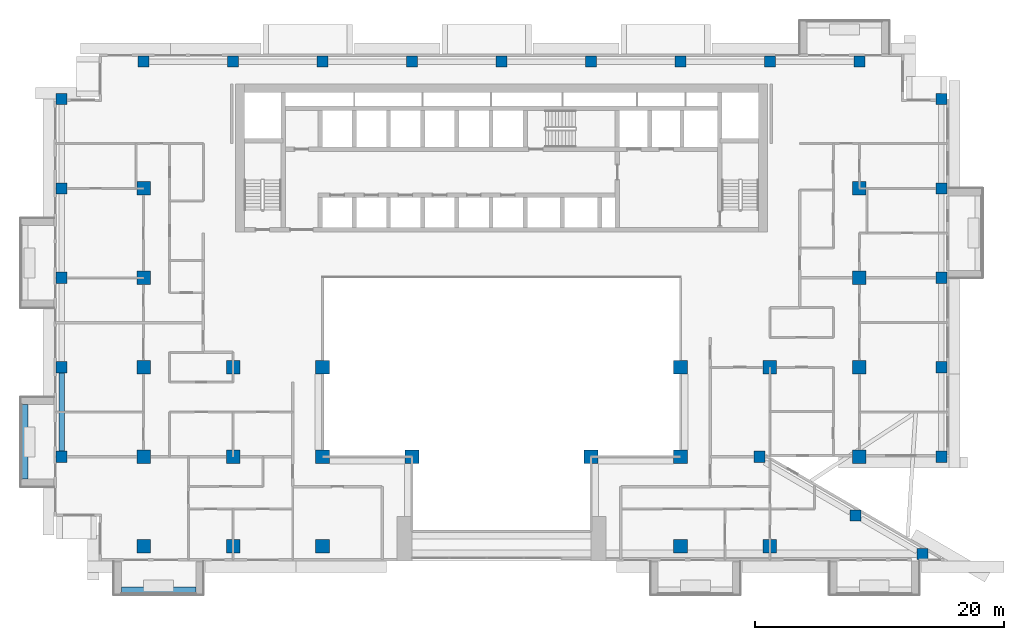
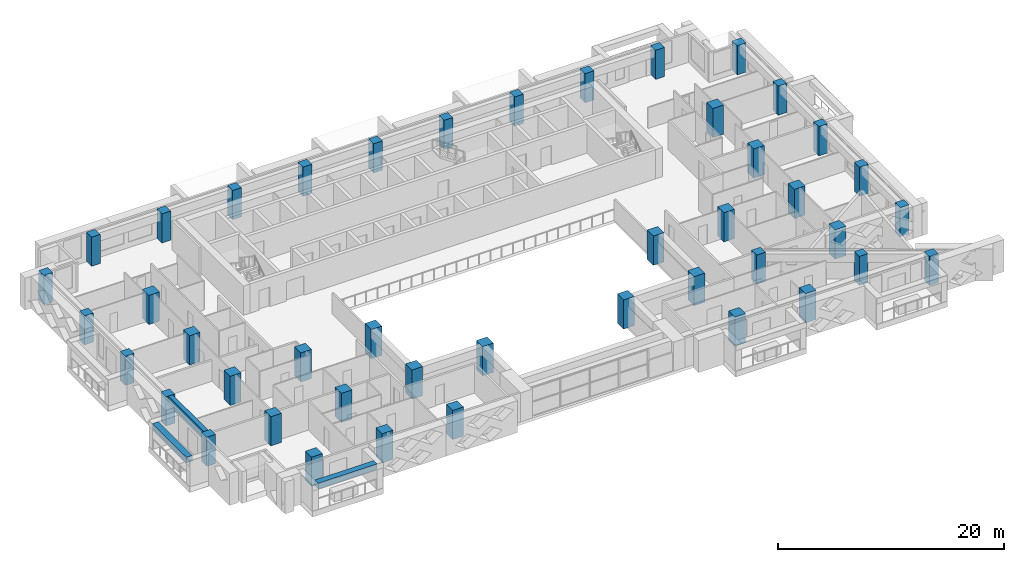
# One storey, part 1 of 19: 44 columns, 3 beams.
"""IFC4 building model written with IfcOpenShell, lengths in metres."""

import ifcopenshell
import ifcopenshell.guid

model = None  # the IFC model being written
_history = None  # IfcOwnerHistory: only IFC2X3 demands one
_inside = {}  # id of a spatial element -> (the spatial element, [elements in it])
_under = {}  # id of a project, library or spatial element -> (it, [spatial elements below it])
_declared = {}  # id of a project -> (the project, [libraries it declares])
_typed = {}  # id of a type object -> (the type object, [elements of that type])
_made_of = {}  # id of a material, layer set ... -> (it, [elements and type objects made of it])


def new_model(schema):
    """Start an empty IFC model of exactly this schema.

    Asked for "IFC4X3", IfcOpenShell would pick the latest addendum, in which some entities
    have other attributes; the version numbers below select the first issue.
    IFC2X3 requires an IfcOwnerHistory on every rooted entity: one is made here for all.
    """
    global model, _history
    if schema == "IFC4X3":
        model = ifcopenshell.file(schema_version=(4, 3, 0, 0))
    else:
        model = ifcopenshell.file(schema=schema)
    _inside.clear()
    _under.clear()
    _declared.clear()
    _typed.clear()
    _made_of.clear()
    _history = None
    if model.schema == "IFC2X3":
        org = make("IfcOrganization", Name="unknown")
        user = make(
            "IfcPersonAndOrganization",
            ThePerson=make("IfcPerson", FamilyName="unknown"),
            TheOrganization=org,
        )
        app = make(
            "IfcApplication",
            ApplicationDeveloper=org,
            Version="unknown",
            ApplicationFullName="unknown",
            ApplicationIdentifier="unknown",
        )
        _history = make(
            "IfcOwnerHistory",
            OwningUser=user,
            OwningApplication=app,
            ChangeAction="ADDED",
            CreationDate=0,
        )
    return model


def make(cls, **values):
    """One entity of the class cls with the attributes given. An attribute that is None is left unset."""
    return model.create_entity(
        cls, **{name: value for name, value in values.items() if value is not None}
    )


def rooted(cls, **values):
    """An entity with a GlobalId (a new one), such as an element, a storey or a relation."""
    return make(cls, GlobalId=ifcopenshell.guid.new(), OwnerHistory=_history, **values)


def si_unit(unit_type, name, prefix=None):
    """IfcSIUnit, for example si_unit("LENGTHUNIT", "METRE", prefix="MILLI")."""
    return make("IfcSIUnit", UnitType=unit_type, Prefix=prefix, Name=name)


def assignment(units):
    """IfcUnitAssignment: the units of a project."""
    return None if units is None else make("IfcUnitAssignment", Units=units)


def point(xyz):
    """IfcCartesianPoint."""
    return None if xyz is None else make("IfcCartesianPoint", Coordinates=xyz)


def direction(xyz):
    """IfcDirection."""
    return None if xyz is None else make("IfcDirection", DirectionRatios=xyz)


def frame(location, z_axis=None, x_axis=None):
    """IfcAxis2Placement3D, a coordinate frame: its origin and axes. An axis left out is left unset."""
    return make(
        "IfcAxis2Placement3D",
        Location=point(location),
        Axis=direction(z_axis),
        RefDirection=direction(x_axis),
    )


def frame_2d(location, x_axis=None):
    """IfcAxis2Placement2D, a coordinate frame in the plane: its origin and x axis."""
    return make(
        "IfcAxis2Placement2D", Location=point(location), RefDirection=direction(x_axis)
    )


def origin():
    """The frame at (0, 0, 0) with its axes left unset."""
    return frame((0.0, 0.0, 0.0))


def origin_2d():
    """The frame at (0, 0) in the plane with its x axis left unset."""
    return frame_2d((0.0, 0.0))


def place(relative_to, where):
    """IfcLocalPlacement: puts the frame where relative to a parent placement (None: the world)."""
    return make(
        "IfcLocalPlacement", PlacementRelTo=relative_to, RelativePlacement=where
    )


def context(
    kind, dimensions, precision=None, world=None, true_north=None, identifier=None
):
    """IfcGeometricRepresentationContext, for example the 3D "Model" context."""
    return make(
        "IfcGeometricRepresentationContext",
        ContextIdentifier=identifier,
        ContextType=kind,
        CoordinateSpaceDimension=dimensions,
        Precision=precision,
        WorldCoordinateSystem=world,
        TrueNorth=true_north,
    )


def subcontext(parent, identifier, kind, view, scale=None):
    """IfcGeometricRepresentationSubContext, for example "Body" below "Model"."""
    return make(
        "IfcGeometricRepresentationSubContext",
        ContextIdentifier=identifier,
        ContextType=kind,
        ParentContext=parent,
        TargetScale=scale,
        TargetView=view,
    )


def project(units=None, contexts=None):
    """IfcProject with its units and contexts."""
    return rooted(
        "IfcProject",
        Name="project",
        RepresentationContexts=contexts,
        UnitsInContext=assignment(units),
    )


def spatial(cls, under=None, at=None, **own):
    """A site, building, storey or space (cls), placed at a placement, below another one or the project."""
    s = rooted(cls, ObjectPlacement=at, **own)
    if under is not None:
        _under.setdefault(under.id(), (under, []))[1].append(s)
    return s


def profile(cls, at=None, kind="AREA", **sizes):
    """A parametric profile (cls). Its sizes go by their IFC names, for example OverallWidth=200.0."""
    return make(cls, ProfileType=kind, Position=at, **sizes)


def rectangle(**sizes):
    """IfcRectangleProfileDef."""
    return profile("IfcRectangleProfileDef", **sizes)


def extrude(swept, where, along, depth):
    """IfcExtrudedAreaSolid: the profile swept, set in the frame where, extruded along a direction by depth."""
    return make(
        "IfcExtrudedAreaSolid",
        SweptArea=swept,
        Position=where,
        ExtrudedDirection=direction(along),
        Depth=depth,
    )


def shape(context_of_items, identifier, shape_type, items):
    """IfcShapeRepresentation: the items that make up one representation, for example the "Body"."""
    return make(
        "IfcShapeRepresentation",
        ContextOfItems=context_of_items,
        RepresentationIdentifier=identifier,
        RepresentationType=shape_type,
        Items=items,
    )


def source(mapping_origin, context_of_items, identifier, shape_type, items):
    """IfcRepresentationMap: a shape defined once, which mapped items show again and again."""
    return make(
        "IfcRepresentationMap",
        MappingOrigin=mapping_origin,
        MappedRepresentation=shape(context_of_items, identifier, shape_type, items),
    )


def transform(
    local_origin,
    x_axis=None,
    y_axis=None,
    z_axis=None,
    scale=None,
    scale2=None,
    scale3=None,
    uniform=True,
):
    """IfcCartesianTransformationOperator3D, or its non-uniform kind. x_axis, y_axis, z_axis: its Axis1, 2, 3."""
    if uniform:
        return make(
            "IfcCartesianTransformationOperator3D",
            Axis1=direction(x_axis),
            Axis2=direction(y_axis),
            LocalOrigin=point(local_origin),
            Scale=scale,
            Axis3=direction(z_axis),
        )
    return make(
        "IfcCartesianTransformationOperator3DnonUniform",
        Axis1=direction(x_axis),
        Axis2=direction(y_axis),
        LocalOrigin=point(local_origin),
        Scale=scale,
        Axis3=direction(z_axis),
        Scale2=scale2,
        Scale3=scale3,
    )


def mapped(mapping_source, mapping_target):
    """IfcMappedItem: shows the shape of a source again, moved by a transform."""
    return make(
        "IfcMappedItem", MappingSource=mapping_source, MappingTarget=mapping_target
    )


def material(Name=None, Category=None):
    """IfcMaterial."""
    return make("IfcMaterial", Name=Name, Category=Category)


def material_profile(
    of_material, cross_section, Name=None, Category=None, Priority=None
):
    """IfcMaterialProfile: a cross section and its material."""
    return make(
        "IfcMaterialProfile",
        Name=Name,
        Material=of_material,
        Profile=cross_section,
        Priority=Priority,
        Category=Category,
    )


def profile_set(profiles, Name=None, composite=None):
    """IfcMaterialProfileSet."""
    return make(
        "IfcMaterialProfileSet",
        Name=Name,
        MaterialProfiles=profiles,
        CompositeProfile=composite,
    )


def made_of(thing, what):
    """Note that an element or type object is made of a material, layer set ...; save() writes the relation."""
    if what is not None:
        _made_of.setdefault(what.id(), (what, []))[1].append(thing)
    return thing


def type_object(cls, material=None, **own):
    """A type object (cls), such as IfcWallType, which elements share."""
    return made_of(rooted(cls, **own), material)


def element(
    cls,
    number,
    at=None,
    inside=None,
    cuts=None,
    type_object=None,
    material=None,
    context=None,
    identifier="Body",
    shape_type=None,
    held_by="IfcProductDefinitionShape",
    body=None,
    shapes=None,
    **own,
):
    """One element of the class cls, such as IfcWall. Its Tag is "e" and its number.

    at: its placement. inside: the storey or other place that contains it. cuts: it is an
    opening in that element (IfcRelVoidsElement). A single representation is given by context,
    identifier, shape_type and body (its items); several are given by shapes. held_by: the class
    of the entity that holds the representations. save() writes the other relations.
    """
    e = rooted(cls, Tag="e%d" % number, ObjectPlacement=at, **own)
    if body is not None:
        shapes = [shape(context, identifier, shape_type, body)]
    if shapes is not None:
        e.Representation = make(held_by, Representations=shapes)
    if inside is not None:
        _inside.setdefault(inside.id(), (inside, []))[1].append(e)
    if cuts is not None:
        rooted(
            "IfcRelVoidsElement", RelatingBuildingElement=cuts, RelatedOpeningElement=e
        )
    if type_object is not None:
        _typed.setdefault(type_object.id(), (type_object, []))[1].append(e)
    return made_of(e, material)


def aggregate(whole, parts):
    """IfcRelAggregates: a whole, such as a stair, and the parts it consists of."""
    return rooted("IfcRelAggregates", RelatingObject=whole, RelatedObjects=parts)


def save(model, path):
    """Write the relations noted so far, then the file.

    IfcRelAggregates (storeys below a building ...), IfcRelContainedInSpatialStructure (elements
    in a storey), IfcRelDefinesByType, IfcRelAssociatesMaterial and IfcRelDeclares: one each for
    every whole, place, type object, material and project.
    """
    for whole, parts in _under.values():
        aggregate(whole, parts)
    for where, things in _inside.values():
        rooted(
            "IfcRelContainedInSpatialStructure",
            RelatedElements=things,
            RelatingStructure=where,
        )
    for kind, things in _typed.values():
        rooted("IfcRelDefinesByType", RelatedObjects=things, RelatingType=kind)
    for what, things in _made_of.values():
        rooted("IfcRelAssociatesMaterial", RelatedObjects=things, RelatingMaterial=what)
    for by, libraries in _declared.values():
        rooted("IfcRelDeclares", RelatingContext=by, RelatedDefinitions=libraries)
    model.write(path)


model = new_model("IFC4")

# Units and contexts
model_context = context("Model", 3, precision=1e-05, world=origin(), true_north=direction((0.0, 1.0)))
body_context = subcontext(model_context, "Body", "Model", "MODEL_VIEW")
ifc_project = project(units=[si_unit("LENGTHUNIT", "METRE"), si_unit("AREAUNIT", "SQUARE_METRE"), si_unit("VOLUMEUNIT", "CUBIC_METRE"), si_unit("PLANEANGLEUNIT", "RADIAN"), si_unit("MASSUNIT", "GRAM", prefix="KILO")], contexts=[model_context])

# Site, building, storey
site_placement = place(None, origin())
site = spatial("IfcSite", under=ifc_project, at=site_placement, CompositionType="ELEMENT")
building_placement = place(site_placement, origin())
building = spatial("IfcBuilding", under=site, at=building_placement, Name="Saffron Iwan Residences", CompositionType="ELEMENT")
storey_placement = place(building_placement, frame((0.0, 0.0, 134.0)))
storey = spatial("IfcBuildingStorey", under=building, at=storey_placement, Name="L35", CompositionType="ELEMENT", Elevation=134.0)

# Columns
ifc_material_1 = material(Name="Concrete C50/60", Category="concrete")
ifc_material_profile_1 = material_profile(ifc_material_1, rectangle(XDim=0.89990234375, YDim=0.89990234375, at=origin_2d()), Name="RC 900x900")
ifc_profile_set_1 = profile_set([ifc_material_profile_1], Name="Concrete C50/60")
column_type_1 = type_object("IfcColumnType", Name="COL RC 900x900 C50/60 3150 HIGH", PredefinedType="COLUMN", material=ifc_profile_set_1)
shared_shape_1 = source(origin(), body_context, "Body", "SweptSolid", [
    extrude(rectangle(XDim=0.89990234375, YDim=0.89990234375, at=origin_2d()), origin(), (0.0, 0.0, 1.0), 3.14990234375),
])
for number, where, z_axis, x_axis, name in (
    (1, (84.276123046875, 40.17431640625, 0.0), (0.0, 0.0, 1.0), (1.0, 0.0, 0.0), "Column C045"),
    (2, (78.897705078125, 43.28173828125, 0.0), (0.0, 0.0, 1.0), (1.0, 0.0, 0.0), "Column C058"),
    (3, (15.0, 48.0, 0.0), (0.0, 0.0, 1.0), (1.0, 0.0, 0.0), "Column C061"),
    (4, (71.14990234375, 48.0, 0.0), (0.0, 0.0, 1.0), (1.0, 0.0, 0.0), "Column C070"),
    (5, (85.800048828125, 48.0, 0.0), (0.0, 0.0, 1.0), (1.0, 0.0, 0.0), "Column C074"),
    (6, (15.0, 55.199951171875, 0.0), (0.0, 0.0, 1.0), (1.0, 0.0, 0.0), "Column C077"),
    (7, (85.800048828125, 55.199951171875, 0.0), (0.0, 0.0, 1.0), (1.0, 0.0, 0.0), "Column C086"),
    (8, (15.0, 62.39990234375, 0.0), (0.0, 0.0, 1.0), (1.0, 0.0, 0.0), "Column C089"),
    (9, (85.800048828125, 62.39990234375, 0.0), (0.0, 0.0, 1.0), (1.0, 0.0, 0.0), "Column C094"),
    (10, (15.0, 69.60009765625, 0.0), (0.0, 0.0, 1.0), (1.0, 0.0, 0.0), "Column C097"),
    (11, (85.800048828125, 69.60009765625, 0.0), (0.0, 0.0, 1.0), (1.0, 0.0, 0.0), "Column C102"),
    (12, (15.0, 76.800048828125, 0.0), (0.0, 0.0, 1.0), (1.0, 0.0, 0.0), "Column C105"),
    (13, (85.800048828125, 76.800048828125, 0.0), (0.0, 0.0, 1.0), (1.0, 0.0, 0.0), "Column C110"),
    (14, (21.60009765625, 79.800048828125, 0.0), (0.0, 0.0, 1.0), (1.0, 0.0, 0.0), "Column C113"),
    (15, (28.800048828125, 79.800048828125, 0.0), (0.0, 0.0, 1.0), (1.0, 0.0, 0.0), "Column C115"),
    (16, (36.0, 79.800048828125, 0.0), (0.0, 0.0, 1.0), (1.0, 0.0, 0.0), "Column C116"),
    (17, (43.199951171875, 79.800048828125, 0.0), (0.0, 0.0, 1.0), (1.0, 0.0, 0.0), "Column C117"),
    (18, (50.39990234375, 79.800048828125, 0.0), (0.0, 0.0, 1.0), (1.0, 0.0, 0.0), "Column C118"),
    (19, (57.60009765625, 79.800048828125, 0.0), (0.0, 0.0, 1.0), (1.0, 0.0, 0.0), "Column C119"),
    (20, (64.800048828125, 79.800048828125, 0.0), (0.0, 0.0, 1.0), (1.0, 0.0, 0.0), "Column C120"),
    (21, (72.0, 79.800048828125, 0.0), (0.0, 0.0, 1.0), (1.0, 0.0, 0.0), "Column C121"),
    (22, (79.199951171875, 79.800048828125, 0.0), (0.0, 0.0, 1.0), (1.0, 0.0, 0.0), "Column C123"),
):
    element("IfcColumn", number, at=place(storey_placement, frame(where, z_axis=z_axis, x_axis=x_axis)), inside=storey, type_object=column_type_1, Name=name, PredefinedType="COLUMN", context=body_context, shape_type="MappedRepresentation", body=[
        mapped(shared_shape_1, transform((0.0, 0.0, 0.0))),
    ])
ifc_material_profile_2 = material_profile(ifc_material_1, rectangle(XDim=1.10009765625, YDim=1.10009765625, at=origin_2d()), Name="RC 1100x1100")
ifc_profile_set_2 = profile_set([ifc_material_profile_2], Name="Concrete C50/60")
column_type_2 = type_object("IfcColumnType", Name="COL RC 1100x1100 C50/60 3150 HIGH", PredefinedType="COLUMN", material=ifc_profile_set_2)
shared_shape_2 = source(origin(), body_context, "Body", "SweptSolid", [
    extrude(rectangle(XDim=1.10009765625, YDim=1.10009765625, at=origin_2d()), origin(), (0.0, 0.0, 1.0), 3.14990234375),
])
for number, where, z_axis, x_axis, name in (
    (23, (21.60009765625, 40.800048828125, 0.0), (0.0, 0.0, 1.0), (1.0, 0.0, 0.0), "Column C049"),
    (24, (28.800048828125, 40.800048828125, 0.0), (0.0, 0.0, 1.0), (1.0, 0.0, 0.0), "Column C051"),
    (25, (36.0, 40.800048828125, 0.0), (0.0, 0.0, 1.0), (1.0, 0.0, 0.0), "Column C052"),
    (26, (64.800048828125, 40.800048828125, 0.0), (0.0, 0.0, 1.0), (1.0, 0.0, 0.0), "Column C055"),
    (27, (72.0, 40.800048828125, 0.0), (0.0, 0.0, 1.0), (1.0, 0.0, 0.0), "Column C056"),
    (28, (21.60009765625, 48.0, 0.0), (0.0, 0.0, 1.0), (1.0, 0.0, 0.0), "Column C063"),
    (29, (28.800048828125, 48.0, 0.0), (0.0, 0.0, 1.0), (1.0, 0.0, 0.0), "Column C064"),
    (30, (36.0, 48.0, 0.0), (0.0, 0.0, 1.0), (1.0, 0.0, 0.0), "Column C065"),
    (31, (43.199951171875, 48.0, 0.0), (0.0, 0.0, 1.0), (1.0, 0.0, 0.0), "Column C066"),
    (32, (57.60009765625, 48.0, 0.0), (0.0, 0.0, 1.0), (1.0, 0.0, 0.0), "Column C068"),
    (33, (64.800048828125, 48.0, 0.0), (0.0, 0.0, 1.0), (1.0, 0.0, 0.0), "Column C069"),
    (34, (79.199951171875, 48.0, 0.0), (0.0, 0.0, 1.0), (1.0, 0.0, 0.0), "Column C072"),
    (35, (21.60009765625, 55.199951171875, 0.0), (0.0, 0.0, 1.0), (1.0, 0.0, 0.0), "Column C079"),
    (36, (28.800048828125, 55.199951171875, 0.0), (0.0, 0.0, 1.0), (1.0, 0.0, 0.0), "Column C080"),
    (37, (36.0, 55.199951171875, 0.0), (0.0, 0.0, 1.0), (1.0, 0.0, 0.0), "Column C081"),
    (38, (64.800048828125, 55.199951171875, 0.0), (0.0, 0.0, 1.0), (1.0, 0.0, 0.0), "Column C082"),
    (39, (72.0, 55.199951171875, 0.0), (0.0, 0.0, 1.0), (1.0, 0.0, 0.0), "Column C083"),
    (40, (79.199951171875, 55.199951171875, 0.0), (0.0, 0.0, 1.0), (1.0, 0.0, 0.0), "Column C084"),
    (41, (21.60009765625, 62.39990234375, 0.0), (0.0, 0.0, 1.0), (1.0, 0.0, 0.0), "Column C091"),
    (42, (79.199951171875, 62.39990234375, 0.0), (0.0, 0.0, 1.0), (1.0, 0.0, 0.0), "Column C092"),
    (43, (21.60009765625, 69.60009765625, 0.0), (0.0, 0.0, 1.0), (1.0, 0.0, 0.0), "Column C099"),
    (44, (79.199951171875, 69.60009765625, 0.0), (0.0, 0.0, 1.0), (1.0, 0.0, 0.0), "Column C100"),
):
    element("IfcColumn", number, at=place(storey_placement, frame(where, z_axis=z_axis, x_axis=x_axis)), inside=storey, type_object=column_type_2, Name=name, PredefinedType="COLUMN", context=body_context, shape_type="MappedRepresentation", body=[
        mapped(shared_shape_2, transform((0.0, 0.0, 0.0))),
    ])

# Beams
ifc_material_profile_3 = material_profile(ifc_material_1, rectangle(XDim=0.449951171875, YDim=0.89990234375, at=origin_2d()), Name="RC 450x900")
ifc_profile_set_3 = profile_set([ifc_material_profile_3], Name="Concrete C50/60")
beam_type_1 = type_object("IfcBeamType", Name="SPANDREL BEAM RC 450x900 C50/60 TOP 3150", PredefinedType="SPANDREL", material=ifc_profile_set_3)
shared_shape_3 = source(origin(), body_context, "Body", "SweptSolid", [
    extrude(rectangle(XDim=0.449951171875, YDim=0.89990234375, at=origin_2d()), origin(), (0.0, 0.0, 1.0), 6.300048828125),
])
beam_placement = place(storey_placement, frame((15.0, 48.449951171875, 2.699951171875), z_axis=(0.0, 1.0, 0.0), x_axis=(-1.0, 0.0, 0.0)))
element("IfcBeam", 45, at=beam_placement, inside=storey, type_object=beam_type_1, Name="Spandrel beam", PredefinedType="SPANDREL", context=body_context, shape_type="MappedRepresentation", body=[
    mapped(shared_shape_3, transform((0.0, 0.0, 0.0))),
])
ifc_material_2 = material(Name="Concrete C50/60 white painted", Category="concrete")
ifc_material_profile_4 = material_profile(ifc_material_2, rectangle(XDim=0.60009765625, YDim=0.60009765625, at=origin_2d()), Name="BALCONY FASCIA BEAM 600 x 600")
ifc_profile_set_4 = profile_set([ifc_material_profile_4], Name="Concrete C50/60 white painted")
beam_type_2 = type_object("IfcBeamType", Name="BALCONY FASCIA BEAM 600 x 600", PredefinedType="BEAM", material=ifc_profile_set_4)
shared_shape_4 = source(origin(), body_context, "Body", "SweptSolid", [
    extrude(rectangle(XDim=0.60009765625, YDim=0.60009765625, at=origin_2d()), origin(), (0.0, 0.0, 1.0), 6.0),
])
for number, where, z_axis, x_axis, name in (
    (46, (12.0, 52.199951171875, 2.5), (0.0, -1.0, 0.0), (1.0, 0.0, 0.0), "Balcony fascia beam L35 F8-1"),
    (47, (19.800048828125, 37.199951171875, 2.5), (1.0, 0.0, 0.0), (0.0, 1.0, 0.0), "Balcony fascia beam L35 11-0"),
):
    element("IfcBeam", number, at=place(storey_placement, frame(where, z_axis=z_axis, x_axis=x_axis)), inside=storey, type_object=beam_type_2, Name=name, PredefinedType="BEAM", context=body_context, shape_type="MappedRepresentation", body=[
        mapped(shared_shape_4, transform((0.0, 0.0, 0.0))),
    ])

save(model, "model.ifc")
